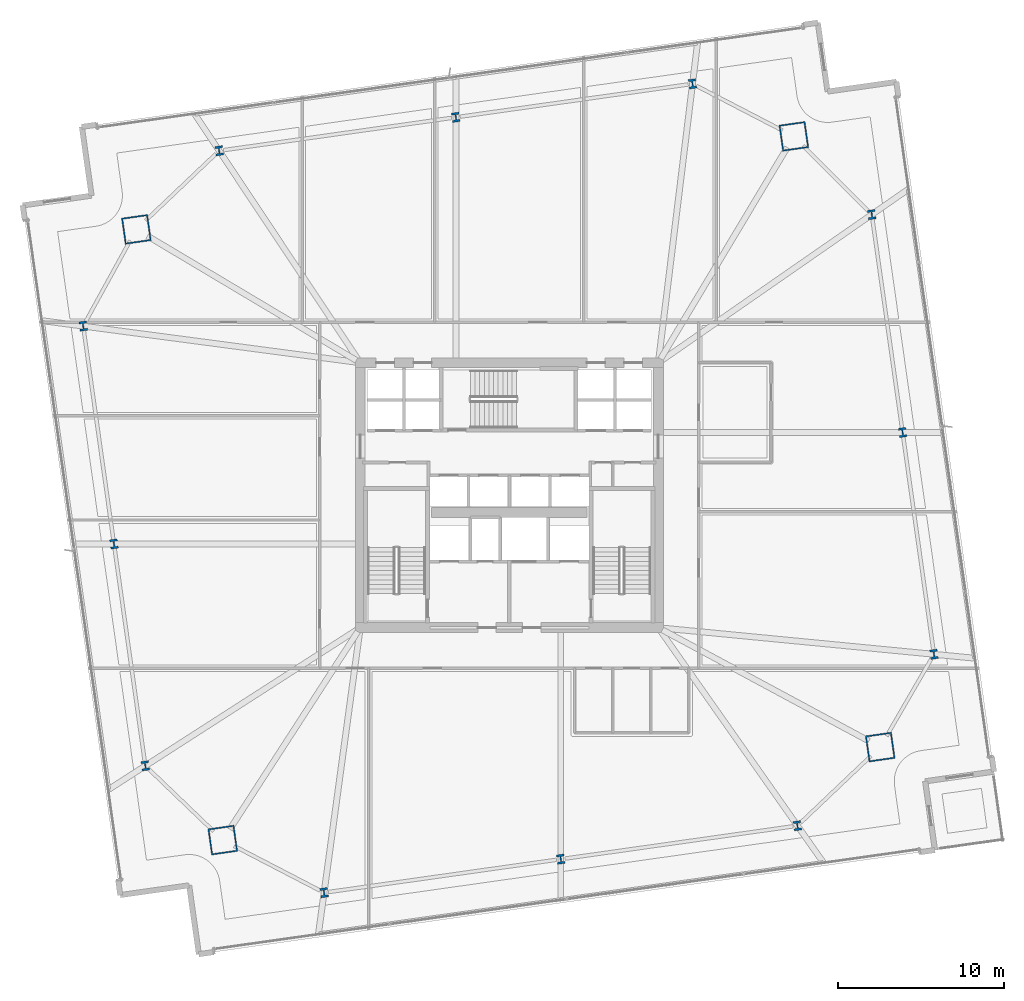
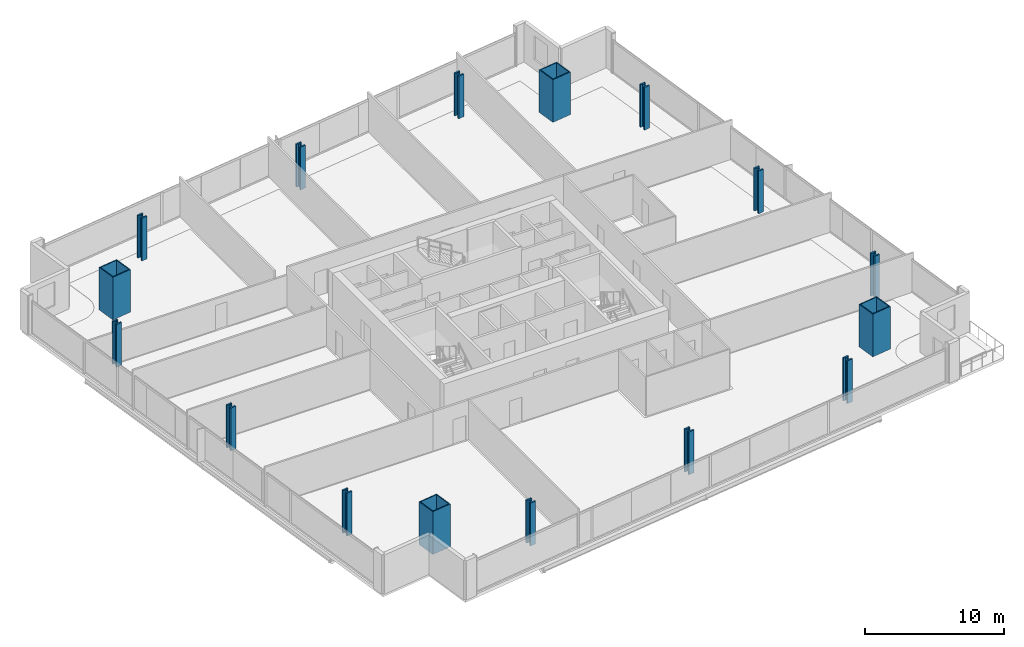
# One storey, part 1 of 33: 16 columns.
"""IFC4 building model written with IfcOpenShell, lengths in metres."""

from ifc_helpers import new_model, si_unit, direction, frame, origin, origin_2d, place, context, subcontext, project, spatial, hollow_rectangle, i_section, extrude, material, material_profile, profile_set, type_object, element, save


model = new_model("IFC4")

# Units and contexts
model_context = context("Model", 3, precision=1e-05, world=origin(), true_north=direction((0.0, 1.0)))
body_context = subcontext(model_context, "Body", "Model", "MODEL_VIEW")
ifc_project = project(units=[si_unit("LENGTHUNIT", "METRE"), si_unit("AREAUNIT", "SQUARE_METRE"), si_unit("VOLUMEUNIT", "CUBIC_METRE"), si_unit("PLANEANGLEUNIT", "RADIAN"), si_unit("MASSUNIT", "GRAM", prefix="KILO")], contexts=[model_context])

# Site, building, storey
site_placement = place(None, origin())
site = spatial("IfcSite", under=ifc_project, at=site_placement, CompositionType="ELEMENT")
building_placement = place(site_placement, origin())
building = spatial("IfcBuilding", under=site, at=building_placement, Name="Haldenkirk Collegiate Tower", CompositionType="ELEMENT")
storey_placement = place(building_placement, frame((0.0, 0.0, 55.199951171875)))
storey = spatial("IfcBuildingStorey", under=building, at=storey_placement, Name="L12", CompositionType="ELEMENT", Elevation=55.199951171875)

# Columns
ifc_material_1 = material(Name="Steel ASTM A913 Grade 65", Category="steel")
ifc_material_profile_1 = material_profile(ifc_material_1, i_section(OverallWidth=0.4541015625, OverallDepth=0.569091796875, WebThickness=0.077880859375, FlangeThickness=0.124755859375, at=origin_2d()), Name="W14X730")
ifc_profile_set_1 = profile_set([ifc_material_profile_1], Name="Steel ASTM A913 Grade 65")
column_type_1 = type_object("IfcColumnType", Name="COL-INT-W14X730", PredefinedType="COLUMN", material=ifc_profile_set_1)
for number, where, z_axis, x_axis, name in (
    (1, (24.815185546875, 1.997314453125, 0.0), (0.0, 0.0, 1.0), (0.990146240249, 0.140037219771, 0.0), "L12 perimeter gravity column PC-S1"),
    (2, (39.10888671875, 4.018798828125, 0.0), (0.0, 0.0, 1.0), (0.990146240249, 0.140037219771, 0.0), "L12 perimeter gravity column PC-S2"),
    (3, (53.402587890625, 6.040283203125, 0.0), (0.0, 0.0, 1.0), (0.990146240249, 0.140037219771, 0.0), "L12 perimeter gravity column PC-S3"),
    (4, (61.648193359375, 16.39306640625, 0.0), (0.0, 0.0, 1.0), (0.990146240249, 0.140037219771, 0.0), "L12 perimeter gravity column PC-E1"),
    (5, (59.75341796875, 29.788818359375, 0.0), (0.0, 0.0, 1.0), (0.990146240249, 0.140037219771, 0.0), "L12 perimeter gravity column PC-E2"),
    (6, (57.892333984375, 42.94873046875, 0.0), (0.0, 0.0, 1.0), (0.990146240249, 0.140037219771, 0.0), "L12 perimeter gravity column PC-E3"),
    (7, (47.06591796875, 50.844482421875, 0.0), (0.0, 0.0, 1.0), (0.990146240249, 0.140037219771, 0.0), "L12 perimeter gravity column PC-N1"),
    (8, (32.772216796875, 48.822998046875, 0.0), (0.0, 0.0, 1.0), (0.990146240249, 0.140037219771, 0.0), "L12 perimeter gravity column PC-N2"),
    (9, (18.478515625, 46.80126953125, 0.0), (0.0, 0.0, 1.0), (0.990146240249, 0.140037219771, 0.0), "L12 perimeter gravity column PC-N3"),
    (10, (10.26611328125, 36.212890625, 0.0), (0.0, 0.0, 1.0), (0.990146240249, 0.140037219771, 0.0), "L12 perimeter gravity column PC-W1"),
    (11, (12.12744140625, 23.052978515625, 0.0), (0.0, 0.0, 1.0), (0.990146240249, 0.140037219771, 0.0), "L12 perimeter gravity column PC-W2"),
    (12, (14.02197265625, 9.6572265625, 0.0), (0.0, 0.0, 1.0), (0.990146240249, 0.140037219771, 0.0), "L12 perimeter gravity column PC-W3"),
):
    element("IfcColumn", number, at=place(storey_placement, frame(where, z_axis=z_axis, x_axis=x_axis)), inside=storey, type_object=column_type_1, Name=name, PredefinedType="COLUMN", context=body_context, shape_type="SweptSolid", body=[
        extrude(i_section(OverallWidth=0.4541015625, OverallDepth=0.569091796875, WebThickness=0.077880859375, FlangeThickness=0.124755859375, at=origin_2d()), origin(), (0.0, 0.0, 1.0), 3.75),
    ])
ifc_material_2 = material(Name="Steel ASTM A572 Grade 50", Category="steel")
ifc_material_profile_2 = material_profile(ifc_material_2, hollow_rectangle(XDim=1.60009765625, YDim=1.60009765625, WallThickness=0.080078125, at=origin_2d()), Name="BOX1600X1600X80")
ifc_profile_set_2 = profile_set([ifc_material_profile_2], Name="Steel ASTM A572 Grade 50")
column_type_2 = type_object("IfcColumnType", Name="COL-MEGA-BOX1600X1600X80", PredefinedType="COLUMN", material=ifc_profile_set_2)
for number, where, z_axis, x_axis, name in (
    (13, (18.6962890625, 5.171630859375, 0.0), (0.0, 0.0, 1.0), (0.990146240249, 0.140037219771, 0.0), "L12 corner mega-column MC1"),
    (14, (58.401123046875, 10.787109375, 0.0), (0.0, 0.0, 1.0), (0.990146240249, 0.140037219771, 0.0), "L12 corner mega-column MC2"),
    (15, (53.184814453125, 47.669921875, 0.0), (0.0, 0.0, 1.0), (0.990146240249, 0.140037219771, 0.0), "L12 corner mega-column MC3"),
    (16, (13.47998046875, 42.054443359375, 0.0), (0.0, 0.0, 1.0), (0.990146240249, 0.140037219771, 0.0), "L12 corner mega-column MC4"),
):
    element("IfcColumn", number, at=place(storey_placement, frame(where, z_axis=z_axis, x_axis=x_axis)), inside=storey, type_object=column_type_2, Name=name, PredefinedType="COLUMN", context=body_context, shape_type="SweptSolid", body=[
        extrude(hollow_rectangle(XDim=1.60009765625, YDim=1.60009765625, WallThickness=0.080078125, at=origin_2d()), origin(), (0.0, 0.0, 1.0), 3.75),
    ])

save(model, "model.ifc")
